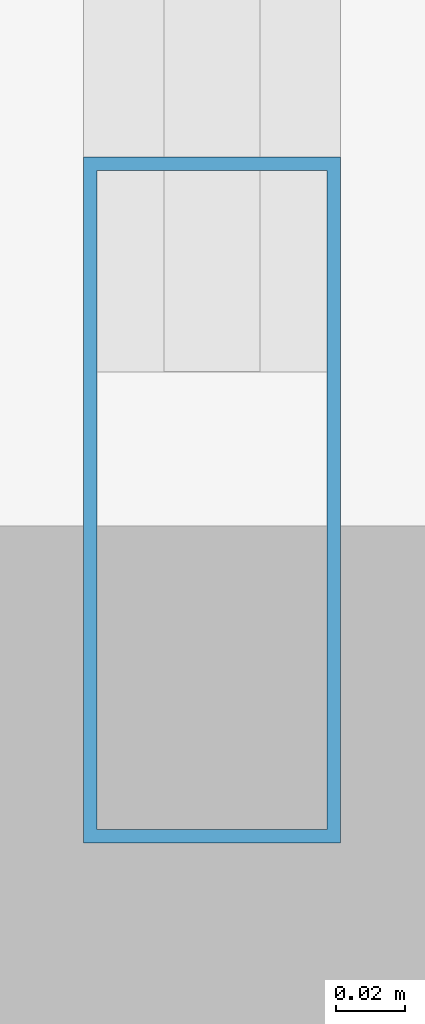
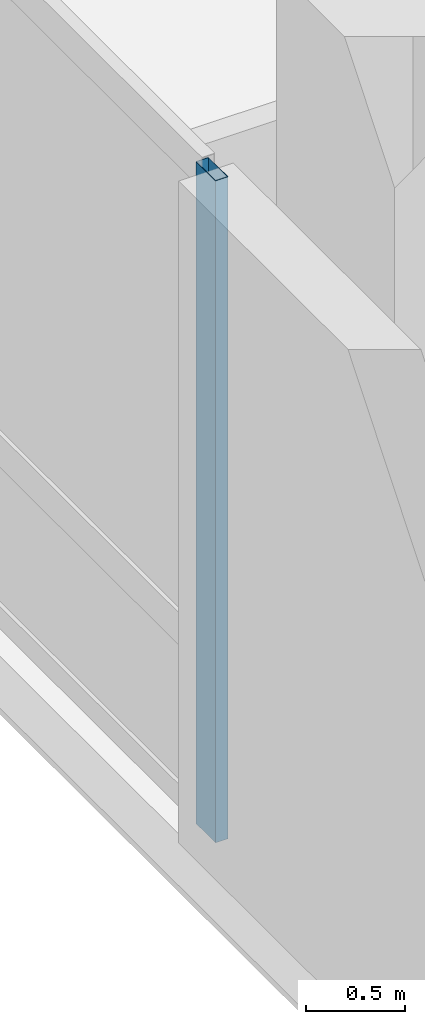
# One storey, part 2 of 31: 1 member, 1 element without a shape of its own.
"""IFC4 building model written with IfcOpenShell, lengths in metres."""

from ifc_helpers import new_model, si_unit, direction, frame, origin, origin_2d, place, context, subcontext, project, spatial, hollow_rectangle, extrude, material, layer, layer_set, material_profile, profile_set, type_object, element, aggregate, save


model = new_model("IFC4")

# Units and contexts
model_context = context("Model", 3, precision=1e-05, world=origin(), true_north=direction((0.0, 1.0)))
body_context = subcontext(model_context, "Body", "Model", "MODEL_VIEW")
ifc_project = project(units=[si_unit("LENGTHUNIT", "METRE"), si_unit("AREAUNIT", "SQUARE_METRE"), si_unit("VOLUMEUNIT", "CUBIC_METRE"), si_unit("PLANEANGLEUNIT", "RADIAN"), si_unit("MASSUNIT", "GRAM", prefix="KILO")], contexts=[model_context])

# Site, building, storey
site_placement = place(None, origin())
site = spatial("IfcSite", under=ifc_project, at=site_placement, CompositionType="ELEMENT")
building_placement = place(site_placement, origin())
building = spatial("IfcBuilding", under=site, at=building_placement, Name="Varnelok Gate Tower", CompositionType="ELEMENT")
storey_placement = place(building_placement, frame((0.0, 0.0, 21.60009765625)))
storey = spatial("IfcBuildingStorey", under=building, at=storey_placement, Name="L04", CompositionType="ELEMENT", Elevation=21.60009765625)

# Curtain wall, member
ifc_material = material(Name="Anodized Aluminum Alloy 6063-T6", Category="aluminium")
ifc_layer = layer(ifc_material, 0.179931640625)
ifc_layer_set = layer_set([ifc_layer], Name="Anodized Aluminum Alloy 6063-T6")
curtain_wall_type = type_object("IfcCurtainWallType", Name="CW1-ARCH-PORTAL", PredefinedType="USERDEFINED", material=ifc_layer_set)
curtain_wall_placement = place(storey_placement, origin())
curtain_wall = element("IfcCurtainWall", 1, at=curtain_wall_placement, inside=storey, type_object=curtain_wall_type, Name="L04 Podium Portal Curtain Wall W", ObjectType="UNITISED CURTAIN WALL", PredefinedType="USERDEFINED")
ifc_material_profile = material_profile(ifc_material, hollow_rectangle(XDim=0.074951171875, YDim=0.199951171875, WallThickness=0.00390625, at=origin_2d()), Name="ALU200X75X4")
ifc_profile_set = profile_set([ifc_material_profile], Name="Anodized Aluminum Alloy 6063-T6")
member_type = type_object("IfcMemberType", Name="CW-MULL-200", PredefinedType="MULLION", material=ifc_profile_set)
member_placement = place(storey_placement, frame((0.159912109375, 15.237548828125, 0.0), z_axis=(0.0, 0.0, 1.0), x_axis=(-1.0, 0.0, 0.0)))
member = element("IfcMember", 2, at=member_placement, type_object=member_type, Name="CW1 mullion 1", PredefinedType="MULLION", context=body_context, shape_type="SweptSolid", body=[
    extrude(hollow_rectangle(XDim=0.074951171875, YDim=0.199951171875, WallThickness=0.00390625, at=origin_2d()), origin(), (0.0, 0.0, 1.0), 4.099853515625),
])
aggregate(curtain_wall, [member])

save(model, "model.ifc")
